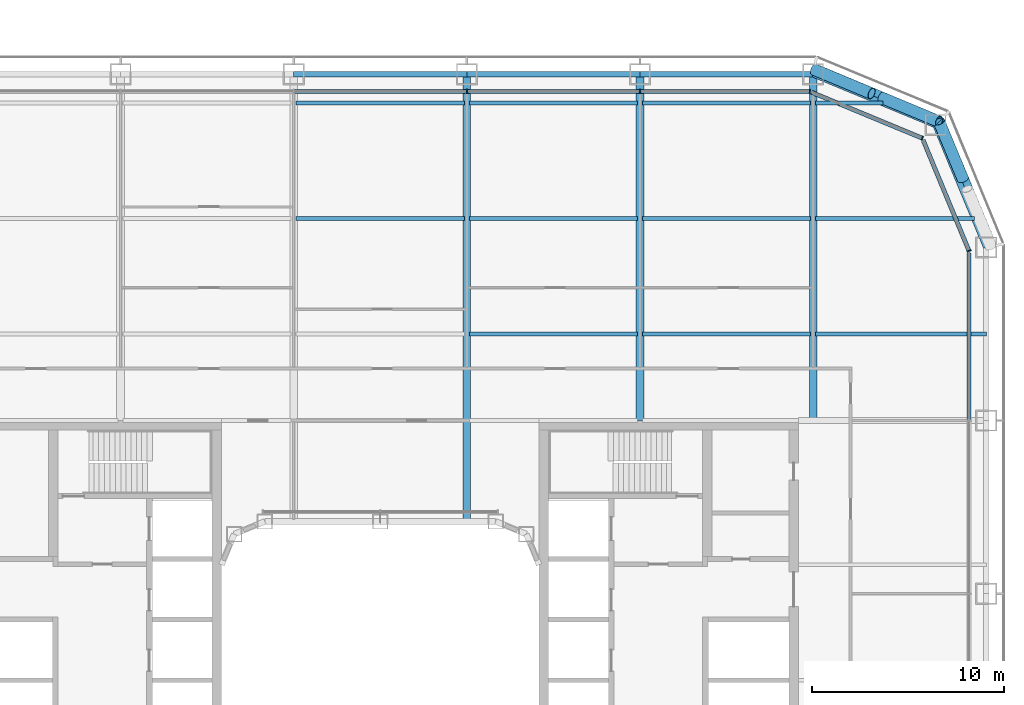
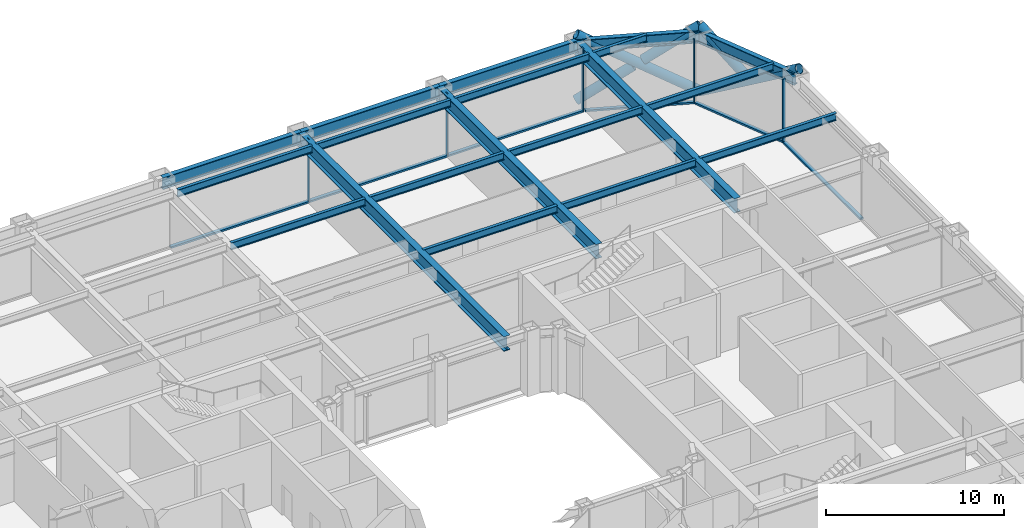
# One storey, part 10 of 28: 19 beams, 16 members, 4 elements without a shape of their own.
"""IFC4 building model written with IfcOpenShell, lengths in metres."""

from ifc_helpers import new_model, si_unit, direction, frame, origin, origin_2d, place, context, subcontext, project, spatial, rectangle, hollow_circle, i_section, extrude, material, layer, layer_set, material_profile, profile_set, type_object, element, aggregate, save


model = new_model("IFC4")

# Units and contexts
model_context = context("Model", 3, precision=1e-05, world=origin(), true_north=direction((0.0, 1.0)))
body_context = subcontext(model_context, "Body", "Model", "MODEL_VIEW")
ifc_project = project(units=[si_unit("LENGTHUNIT", "METRE"), si_unit("AREAUNIT", "SQUARE_METRE"), si_unit("VOLUMEUNIT", "CUBIC_METRE"), si_unit("PLANEANGLEUNIT", "RADIAN"), si_unit("MASSUNIT", "GRAM", prefix="KILO")], contexts=[model_context])

# Site, building, storey
site_placement = place(None, origin())
site = spatial("IfcSite", under=ifc_project, at=site_placement, CompositionType="ELEMENT")
building_placement = place(site_placement, origin())
building = spatial("IfcBuilding", under=site, at=building_placement, Name="Siwar Civic Tower", CompositionType="ELEMENT")
storey_placement = place(building_placement, frame((0.0, 0.0, 31.199951171875)))
storey = spatial("IfcBuildingStorey", under=building, at=storey_placement, Name="L06", CompositionType="ELEMENT", Elevation=31.199951171875)

# Curtain wall, member
ifc_material_1 = material(Name="Aluminium clad insulated panel", Category="aluminium")
ifc_layer_1 = layer(ifc_material_1, 0.219970703125)
ifc_layer_set_1 = layer_set([ifc_layer_1], Name="Aluminium clad insulated panel")
curtain_wall_type_1 = type_object("IfcCurtainWallType", Name="ENV-CW-AX", PredefinedType="NOTDEFINED", material=ifc_layer_set_1)
curtain_wall_1_placement = place(storey_placement, origin())
curtain_wall_1 = element("IfcCurtainWall", 1, at=curtain_wall_1_placement, inside=storey, type_object=curtain_wall_type_1, Name="Curtain wall A NE1", PredefinedType="NOTDEFINED")
ifc_material_2 = material(Name="Aluminium 6063-T6", Category="aluminium")
ifc_material_profile_1 = material_profile(ifc_material_2, rectangle(XDim=0.219970703125, YDim=0.070068359375, at=origin_2d()), Name="AL 220x70")
ifc_profile_set_1 = profile_set([ifc_material_profile_1], Name="Aluminium 6063-T6")
member_type_1 = type_object("IfcMemberType", Name="ENV-MULLION-A", PredefinedType="MULLION", material=ifc_profile_set_1)
member_1_placement = place(storey_placement, frame((30.60009765625, 22.321044921875, 0.0), z_axis=(0.0, 0.0, 1.0), x_axis=(-0.923879532511, -0.382683432365, 0.0)))
member_1 = element("IfcMember", 2, at=member_1_placement, type_object=member_type_1, Name="Mullion A NE1 1", PredefinedType="MULLION", context=body_context, shape_type="SweptSolid", body=[
    extrude(rectangle(XDim=0.219970703125, YDim=0.070068359375, at=origin_2d()), origin(), (0.0, 0.0, 1.0), 4.35009765625),
])

curtain_wall_2_placement = place(storey_placement, origin())
curtain_wall_2 = element("IfcCurtainWall", 3, at=curtain_wall_2_placement, inside=storey, type_object=curtain_wall_type_1, Name="Curtain wall A NE2", PredefinedType="NOTDEFINED")
member_2_placement = place(storey_placement, frame((28.175048828125, 28.175048828125, 0.0), z_axis=(0.0, 0.0, 1.0), x_axis=(-0.382683432365, -0.923879532511, 0.0)))
member_2 = element("IfcMember", 4, at=member_2_placement, type_object=member_type_1, Name="Mullion A NE2 1", PredefinedType="MULLION", context=body_context, shape_type="SweptSolid", body=[
    extrude(rectangle(XDim=0.219970703125, YDim=0.070068359375, at=origin_2d()), origin(), (0.0, 0.0, 1.0), 4.35009765625),
])

# Curtain wall, members
ifc_material_3 = material(Name="Aluminium and glass", Category="aluminium")
ifc_layer_2 = layer(ifc_material_3, 0.219970703125)
ifc_layer_set_2 = layer_set([ifc_layer_2], Name="Aluminium and glass")
curtain_wall_type_2 = type_object("IfcCurtainWallType", Name="ENV-CW-A", PredefinedType="NOTDEFINED", material=ifc_layer_set_2)
curtain_wall_3_placement = place(storey_placement, origin())
curtain_wall_3 = element("IfcCurtainWall", 5, at=curtain_wall_3_placement, inside=storey, type_object=curtain_wall_type_2, Name="Curtain wall A N", PredefinedType="NOTDEFINED")
member_3_placement = place(storey_placement, frame((22.321044921875, 30.60009765625, 0.0), z_axis=(0.0, 0.0, 1.0), x_axis=(0.0, -1.0, 0.0)))
member_3 = element("IfcMember", 6, at=member_3_placement, type_object=member_type_1, Name="Mullion A N 1", PredefinedType="MULLION", context=body_context, shape_type="SweptSolid", body=[
    extrude(rectangle(XDim=0.219970703125, YDim=0.070068359375, at=origin_2d()), origin(), (0.0, 0.0, 1.0), 4.35009765625),
])
member_4_placement = place(storey_placement, frame((13.5, 30.60009765625, 0.0), z_axis=(0.0, 0.0, 1.0), x_axis=(0.0, -1.0, 0.0)))
member_4 = element("IfcMember", 7, at=member_4_placement, type_object=member_type_1, Name="Mullion A N 2", PredefinedType="MULLION", context=body_context, shape_type="SweptSolid", body=[
    extrude(rectangle(XDim=0.219970703125, YDim=0.070068359375, at=origin_2d()), origin(), (0.0, 0.0, 1.0), 4.35009765625),
])
member_5_placement = place(storey_placement, frame((4.5, 30.60009765625, 0.0), z_axis=(0.0, 0.0, 1.0), x_axis=(0.0, -1.0, 0.0)))
member_5 = element("IfcMember", 8, at=member_5_placement, type_object=member_type_1, Name="Mullion A N 3", PredefinedType="MULLION", context=body_context, shape_type="SweptSolid", body=[
    extrude(rectangle(XDim=0.219970703125, YDim=0.070068359375, at=origin_2d()), origin(), (0.0, 0.0, 1.0), 4.35009765625),
])

# Curtain wall, member
curtain_wall_4_placement = place(storey_placement, origin())
curtain_wall_4 = element("IfcCurtainWall", 9, at=curtain_wall_4_placement, inside=storey, type_object=curtain_wall_type_2, Name="Curtain wall A E", PredefinedType="NOTDEFINED")
ifc_material_4 = material(Name="Aluminium 6063-T6", Category="aluminium")
ifc_material_profile_2 = material_profile(ifc_material_4, rectangle(XDim=0.219970703125, YDim=0.1201171875, at=origin_2d()), Name="AL 220x120")
ifc_profile_set_2 = profile_set([ifc_material_profile_2], Name="Aluminium 6063-T6")
member_type_2 = type_object("IfcMemberType", Name="ENV-TRANSOM-A", PredefinedType="USERDEFINED", material=ifc_profile_set_2)
member_6_placement = place(storey_placement, frame((30.60009765625, 13.534912109375, 0.06005859375), z_axis=(0.0, 1.0, 0.0), x_axis=(-1.0, 0.0, 0.0)))
member_6 = element("IfcMember", 10, at=member_6_placement, type_object=member_type_2, Name="Transom A E 5", ObjectType="TRANSOM", PredefinedType="USERDEFINED", context=body_context, shape_type="SweptSolid", body=[
    extrude(rectangle(XDim=0.219970703125, YDim=0.1201171875, at=origin_2d()), origin(), (0.0, 0.0, 1.0), 8.66357421875),
])
aggregate(curtain_wall_4, [member_6])

# Member
member_7_placement = place(storey_placement, frame((30.586669921875, 22.353271484375, 0.06005859375), z_axis=(-0.382698415042, 0.923873326341, 0.0), x_axis=(-0.923873326341, -0.382698415042, 0.0)))
member_7 = element("IfcMember", 11, at=member_7_placement, type_object=member_type_2, Name="Transom A NE1 1", ObjectType="TRANSOM", PredefinedType="USERDEFINED", context=body_context, shape_type="SweptSolid", body=[
    extrude(rectangle(XDim=0.219970703125, YDim=0.1201171875, at=origin_2d()), origin(), (0.0, 0.0, 1.0), 6.17919921875),
])

aggregate(curtain_wall_1, [member_1, member_7])

member_8_placement = place(storey_placement, frame((28.142822265625, 28.1884765625, 0.06005859375), z_axis=(-0.923873326341, 0.382698415042, 0.0), x_axis=(-0.382698415042, -0.923873326341, 0.0)))
member_8 = element("IfcMember", 12, at=member_8_placement, type_object=member_type_2, Name="Transom A NE2 1", ObjectType="TRANSOM", PredefinedType="USERDEFINED", context=body_context, shape_type="SweptSolid", body=[
    extrude(rectangle(XDim=0.219970703125, YDim=0.1201171875, at=origin_2d()), origin(), (0.0, 0.0, 1.0), 6.17919921875),
])

aggregate(curtain_wall_2, [member_2, member_8])

member_9_placement = place(storey_placement, frame((22.285888671875, 30.60009765625, 0.06005859375), z_axis=(-1.0, 0.0, 0.0), x_axis=(0.0, -1.0, 0.0)))
member_9 = element("IfcMember", 13, at=member_9_placement, type_object=member_type_2, Name="Transom A N 1", ObjectType="TRANSOM", PredefinedType="USERDEFINED", context=body_context, shape_type="SweptSolid", body=[
    extrude(rectangle(XDim=0.219970703125, YDim=0.1201171875, at=origin_2d()), origin(), (0.0, 0.0, 1.0), 8.7509765625),
])

member_10_placement = place(storey_placement, frame((13.465087890625, 30.60009765625, 0.06005859375), z_axis=(-1.0, 0.0, 0.0), x_axis=(0.0, -1.0, 0.0)))
member_10 = element("IfcMember", 14, at=member_10_placement, type_object=member_type_2, Name="Transom A N 2", ObjectType="TRANSOM", PredefinedType="USERDEFINED", context=body_context, shape_type="SweptSolid", body=[
    extrude(rectangle(XDim=0.219970703125, YDim=0.1201171875, at=origin_2d()), origin(), (0.0, 0.0, 1.0), 8.93017578125),
])

member_11_placement = place(storey_placement, frame((4.465087890625, 30.60009765625, 0.06005859375), z_axis=(-1.0, 0.0, 0.0), x_axis=(0.0, -1.0, 0.0)))
member_11 = element("IfcMember", 15, at=member_11_placement, type_object=member_type_2, Name="Transom A N 3", ObjectType="TRANSOM", PredefinedType="USERDEFINED", context=body_context, shape_type="SweptSolid", body=[
    extrude(rectangle(XDim=0.219970703125, YDim=0.1201171875, at=origin_2d()), origin(), (0.0, 0.0, 1.0), 8.93017578125),
])

aggregate(curtain_wall_3, [member_3, member_4, member_5, member_9, member_10, member_11])

# Members
ifc_material_5 = material(Name="Steel S355", Category="steel")
ifc_material_profile_3 = material_profile(ifc_material_5, hollow_circle(Radius=0.304931640625, WallThickness=0.030029296875, at=origin_2d()), Name="CHS610x30")
ifc_profile_set_3 = profile_set([ifc_material_profile_3], Name="Steel S355")
member_type_3 = type_object("IfcMemberType", Name="STR-BR-CHS610x30", PredefinedType="BRACE", material=ifc_profile_set_3)
member_12_placement = place(storey_placement, frame((29.040771484375, 29.040771484375, 0.0), z_axis=(-0.777554562952, 0.323905527954, 0.538975055633), x_axis=(-0.384538969033, -0.923108759191, 0.0)))
element("IfcMember", 16, at=member_12_placement, inside=storey, type_object=member_type_3, Name="L06/brc/ANE1-5-0-1", PredefinedType="BRACE", context=body_context, shape_type="SweptSolid", body=[
    extrude(hollow_circle(Radius=0.304931640625, WallThickness=0.030029296875, at=origin_2d()), origin(), (0.0, 0.0, 1.0), 8.34912109375),
])
member_13_placement = place(storey_placement, frame((22.548828125, 31.7451171875, 0.0), z_axis=(0.777533059308, -0.323882123145, 0.539020140617), x_axis=(0.384524353215, 0.923114847559, 0.0)))
element("IfcMember", 17, at=member_13_placement, inside=storey, type_object=member_type_3, Name="L06/brc/ANE1-5-0-2", PredefinedType="BRACE", context=body_context, shape_type="SweptSolid", body=[
    extrude(hollow_circle(Radius=0.304931640625, WallThickness=0.030029296875, at=origin_2d()), origin(), (0.0, 0.0, 1.0), 3.843505859375),
])
member_14_placement = place(storey_placement, frame((26.052001953125, 30.285888671875, 2.428466796875), z_axis=(0.777568797048, -0.323934068367, 0.538937366685), x_axis=(0.384561842466, 0.923099230484, 0.0)))
element("IfcMember", 18, at=member_14_placement, inside=storey, type_object=member_type_3, Name="L06/brc/ANE1-5-0-3", PredefinedType="BRACE", context=body_context, shape_type="SweptSolid", body=[
    extrude(hollow_circle(Radius=0.304931640625, WallThickness=0.030029296875, at=origin_2d()), origin(), (0.0, 0.0, 1.0), 3.84375),
])
member_15_placement = place(storey_placement, frame((29.040771484375, 29.040771484375, 0.0), z_axis=(0.323905527954, -0.777554562952, 0.538975055633), x_axis=(0.923108759191, 0.384538969033, 0.0)))
element("IfcMember", 19, at=member_15_placement, inside=storey, type_object=member_type_3, Name="L06/brc/ANE1-5-0-0", PredefinedType="BRACE", context=body_context, shape_type="SweptSolid", body=[
    extrude(hollow_circle(Radius=0.304931640625, WallThickness=0.030029296875, at=origin_2d()), origin(), (0.0, 0.0, 1.0), 8.34912109375),
])
member_16_placement = place(storey_placement, frame((30.285888671875, 26.052001953125, 2.428466796875), z_axis=(-0.323934068367, 0.777568797048, 0.538937366685), x_axis=(-0.923099230484, -0.384561842466, 0.0)))
element("IfcMember", 20, at=member_16_placement, inside=storey, type_object=member_type_3, Name="L06/brc/ANE1-5-0-5", PredefinedType="BRACE", context=body_context, shape_type="SweptSolid", body=[
    extrude(hollow_circle(Radius=0.304931640625, WallThickness=0.030029296875, at=origin_2d()), origin(), (0.0, 0.0, 1.0), 3.84375),
])

# Beams
ifc_material_6 = material(Name="Steel S355", Category="steel")
ifc_material_profile_4 = material_profile(ifc_material_6, i_section(OverallWidth=0.199951171875, OverallDepth=0.5, WebThickness=0.01025390625, FlangeThickness=0.01611328125, FilletRadius=0.02099609375, at=origin_2d()), Name="IPE500")
ifc_profile_set_4 = profile_set([ifc_material_profile_4], Name="Steel S355")
beam_type_1 = type_object("IfcBeamType", Name="STR-FB-IPE500", PredefinedType="JOIST", material=ifc_profile_set_4)
for number, where, z_axis, x_axis, name in (
    (21, (4.6298828125, 18.0, 4.10009765625), (1.0, 0.0, 0.0), (0.0, 1.0, 0.0), "L06/bm/F050"),
    (22, (13.6298828125, 18.0, 4.10009765625), (1.0, 0.0, 0.0), (0.0, 1.0, 0.0), "L06/bm/F051"),
):
    element("IfcBeam", number, at=place(storey_placement, frame(where, z_axis=z_axis, x_axis=x_axis)), inside=storey, type_object=beam_type_1, Name=name, PredefinedType="JOIST", context=body_context, shape_type="SweptSolid", body=[
        extrude(i_section(OverallWidth=0.199951171875, OverallDepth=0.5, WebThickness=0.01025390625, FlangeThickness=0.01611328125, FilletRadius=0.02099609375, at=origin_2d()), origin(), (0.0, 0.0, 1.0), 8.740234375),
    ])
beam_1_placement = place(storey_placement, frame((22.6298828125, 18.0, 4.10009765625), z_axis=(1.0, 0.0, 0.0), x_axis=(0.0, 1.0, 0.0)))
element("IfcBeam", 23, at=beam_1_placement, inside=storey, type_object=beam_type_1, Name="L06/bm/F052", PredefinedType="JOIST", context=body_context, shape_type="SweptSolid", body=[
    extrude(i_section(OverallWidth=0.199951171875, OverallDepth=0.5, WebThickness=0.01025390625, FlangeThickness=0.01611328125, FilletRadius=0.02099609375, at=origin_2d()), origin(), (0.0, 0.0, 1.0), 8.8701171875),
])
for number, where, z_axis, x_axis, name in (
    (24, (-4.3701171875, 24.0, 4.10009765625), (1.0, 0.0, 0.0), (0.0, 1.0, 0.0), "L06/bm/F056"),
    (25, (4.6298828125, 24.0, 4.10009765625), (1.0, 0.0, 0.0), (0.0, 1.0, 0.0), "L06/bm/F057"),
    (26, (13.6298828125, 24.0, 4.10009765625), (1.0, 0.0, 0.0), (0.0, 1.0, 0.0), "L06/bm/F058"),
):
    element("IfcBeam", number, at=place(storey_placement, frame(where, z_axis=z_axis, x_axis=x_axis)), inside=storey, type_object=beam_type_1, Name=name, PredefinedType="JOIST", context=body_context, shape_type="SweptSolid", body=[
        extrude(i_section(OverallWidth=0.199951171875, OverallDepth=0.5, WebThickness=0.01025390625, FlangeThickness=0.01611328125, FilletRadius=0.02099609375, at=origin_2d()), origin(), (0.0, 0.0, 1.0), 8.740234375),
    ])
beam_2_placement = place(storey_placement, frame((22.6298828125, 24.0, 4.10009765625), z_axis=(1.0, 0.0, 0.0), x_axis=(0.0, 1.0, 0.0)))
element("IfcBeam", 27, at=beam_2_placement, inside=storey, type_object=beam_type_1, Name="L06/bm/F059", PredefinedType="JOIST", context=body_context, shape_type="SweptSolid", body=[
    extrude(i_section(OverallWidth=0.199951171875, OverallDepth=0.5, WebThickness=0.01025390625, FlangeThickness=0.01611328125, FilletRadius=0.02099609375, at=origin_2d()), origin(), (0.0, 0.0, 1.0), 8.248779296875),
])
for number, where, z_axis, x_axis, name in (
    (28, (-4.3701171875, 30.0, 4.10009765625), (1.0, 0.0, 0.0), (0.0, 1.0, 0.0), "L06/bm/F063"),
    (29, (4.6298828125, 30.0, 4.10009765625), (1.0, 0.0, 0.0), (0.0, 1.0, 0.0), "L06/bm/F064"),
    (30, (13.6298828125, 30.0, 4.10009765625), (1.0, 0.0, 0.0), (0.0, 1.0, 0.0), "L06/bm/F065"),
):
    element("IfcBeam", number, at=place(storey_placement, frame(where, z_axis=z_axis, x_axis=x_axis)), inside=storey, type_object=beam_type_1, Name=name, PredefinedType="JOIST", context=body_context, shape_type="SweptSolid", body=[
        extrude(i_section(OverallWidth=0.199951171875, OverallDepth=0.5, WebThickness=0.01025390625, FlangeThickness=0.01611328125, FilletRadius=0.02099609375, at=origin_2d()), origin(), (0.0, 0.0, 1.0), 8.740234375),
    ])
beam_3_placement = place(storey_placement, frame((22.6298828125, 30.0, 4.10009765625), z_axis=(1.0, 0.0, 0.0), x_axis=(0.0, 1.0, 0.0)))
element("IfcBeam", 31, at=beam_3_placement, inside=storey, type_object=beam_type_1, Name="L06/bm/F066", PredefinedType="JOIST", context=body_context, shape_type="SweptSolid", body=[
    extrude(i_section(OverallWidth=0.199951171875, OverallDepth=0.5, WebThickness=0.01025390625, FlangeThickness=0.01611328125, FilletRadius=0.02099609375, at=origin_2d()), origin(), (0.0, 0.0, 1.0), 3.491455078125),
])
ifc_material_7 = material(Name="Steel S355", Category="steel")
ifc_material_profile_5 = material_profile(ifc_material_7, i_section(OverallWidth=0.39990234375, OverallDepth=1.0, WebThickness=0.01611328125, FlangeThickness=0.0400390625, at=origin_2d()), Name="PG1000x400x16x40")
ifc_profile_set_5 = profile_set([ifc_material_profile_5], Name="Steel S355")
beam_type_2 = type_object("IfcBeamType", Name="STR-PG-PG1000x400x16x40", PredefinedType="BEAM", material=ifc_profile_set_5)
beam_4_placement = place(storey_placement, frame((4.5, 8.25, 3.85009765625), z_axis=(0.0, 1.0, 0.0), x_axis=(-1.0, 0.0, 0.0)))
element("IfcBeam", 32, at=beam_4_placement, inside=storey, type_object=beam_type_2, Name="L06/bm/G08", PredefinedType="BEAM", context=body_context, shape_type="SweptSolid", body=[
    extrude(i_section(OverallWidth=0.39990234375, OverallDepth=1.0, WebThickness=0.01611328125, FlangeThickness=0.0400390625, at=origin_2d()), origin(), (0.0, 0.0, 1.0), 23.25),
])
for number, where, z_axis, x_axis, name in (
    (33, (13.5, 13.5, 3.85009765625), (0.0, 1.0, 0.0), (-1.0, 0.0, 0.0), "L06/bm/G10"),
    (34, (22.5, 13.5, 3.85009765625), (0.0, 1.0, 0.0), (-1.0, 0.0, 0.0), "L06/bm/G12"),
):
    element("IfcBeam", number, at=place(storey_placement, frame(where, z_axis=z_axis, x_axis=x_axis)), inside=storey, type_object=beam_type_2, Name=name, PredefinedType="BEAM", context=body_context, shape_type="SweptSolid", body=[
        extrude(i_section(OverallWidth=0.39990234375, OverallDepth=1.0, WebThickness=0.01611328125, FlangeThickness=0.0400390625, at=origin_2d()), origin(), (0.0, 0.0, 1.0), 18.0),
    ])
ifc_material_8 = material(Name="Steel S355", Category="steel")
ifc_material_profile_6 = material_profile(ifc_material_8, i_section(OverallWidth=0.302978515625, OverallDepth=0.81396484375, WebThickness=0.02099609375, FlangeThickness=0.0400390625, FilletRadius=0.030029296875, at=origin_2d()), Name="HEM800")
ifc_profile_set_6 = profile_set([ifc_material_profile_6], Name="Steel S355")
beam_type_3 = type_object("IfcBeamType", Name="STR-SB-HEM800", PredefinedType="BEAM", material=ifc_profile_set_6)
for number, where, z_axis, x_axis, name in (
    (35, (31.5, 22.5, 3.943115234375), (-0.382674207535, 0.923883353507, 0.0), (-0.923883353507, -0.382674207535, 0.0), "L06/bm/SNE1-0"),
    (36, (28.864013671875, 28.864013671875, 3.943115234375), (-0.923883353507, 0.382674207535, 0.0), (-0.382674207535, -0.923883353507, 0.0), "L06/bm/SNE2-0"),
):
    element("IfcBeam", number, at=place(storey_placement, frame(where, z_axis=z_axis, x_axis=x_axis)), inside=storey, type_object=beam_type_3, Name=name, PredefinedType="BEAM", context=body_context, shape_type="SweptSolid", body=[
        extrude(i_section(OverallWidth=0.302978515625, OverallDepth=0.81396484375, WebThickness=0.02099609375, FlangeThickness=0.0400390625, FilletRadius=0.030029296875, at=origin_2d()), origin(), (0.0, 0.0, 1.0), 6.888427734375),
    ])
for number, where, z_axis, x_axis, name in (
    (37, (22.5, 31.5, 3.943115234375), (-1.0, 0.0, 0.0), (0.0, -1.0, 0.0), "L06/bm/SN-0"),
    (38, (13.5, 31.5, 3.943115234375), (-1.0, 0.0, 0.0), (0.0, -1.0, 0.0), "L06/bm/SN-1"),
    (39, (4.5, 31.5, 3.943115234375), (-1.0, 0.0, 0.0), (0.0, -1.0, 0.0), "L06/bm/SN-2"),
):
    element("IfcBeam", number, at=place(storey_placement, frame(where, z_axis=z_axis, x_axis=x_axis)), inside=storey, type_object=beam_type_3, Name=name, PredefinedType="BEAM", context=body_context, shape_type="SweptSolid", body=[
        extrude(i_section(OverallWidth=0.302978515625, OverallDepth=0.81396484375, WebThickness=0.02099609375, FlangeThickness=0.0400390625, FilletRadius=0.030029296875, at=origin_2d()), origin(), (0.0, 0.0, 1.0), 9.0),
    ])

save(model, "model.ifc")
